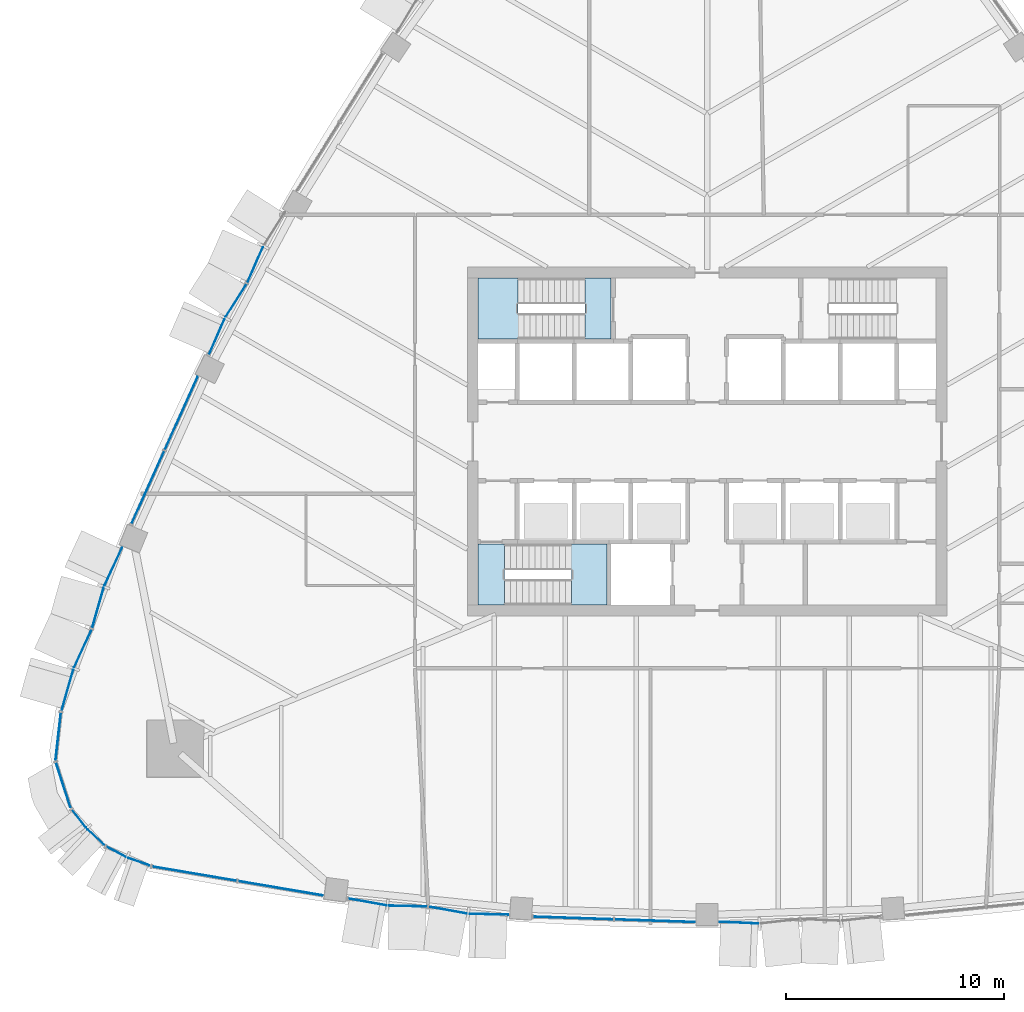
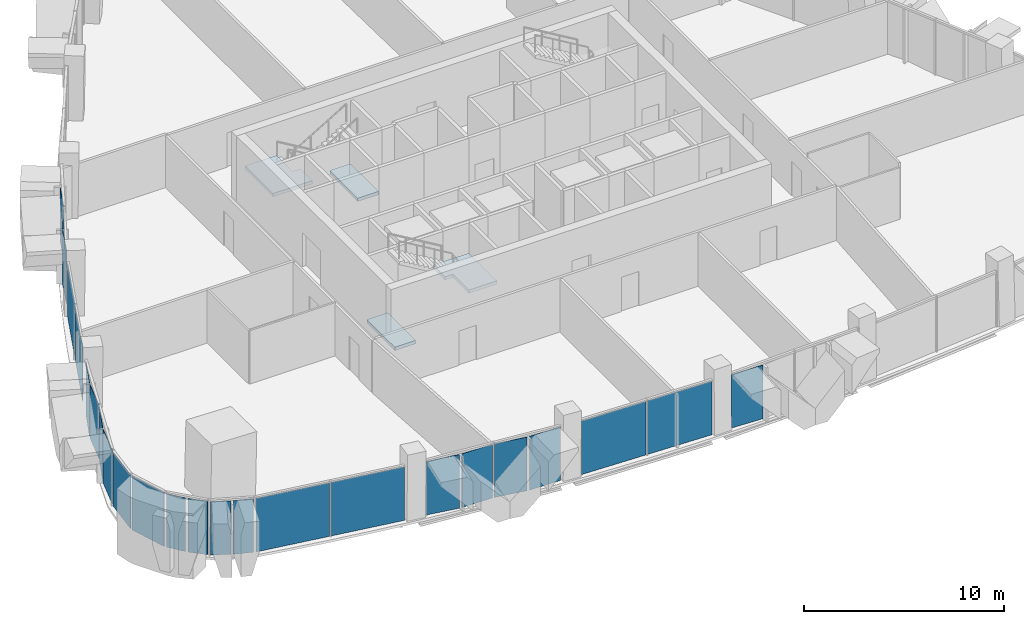
# One storey, part 8 of 17: 24 plates, 4 slabs, 13 elements without a shape of their own.
"""IFC4 building model written with IfcOpenShell, lengths in metres."""

from ifc_helpers import new_model, si_unit, direction, frame, origin, origin_2d, place, context, subcontext, project, spatial, polyline, rectangle, outline, extrude, material, layer, layer_set, type_object, element, aggregate, save


model = new_model("IFC4")

# Units and contexts
model_context = context("Model", 3, precision=1e-05, world=origin(), true_north=direction((0.0, 1.0)))
body_context = subcontext(model_context, "Body", "Model", "MODEL_VIEW")
ifc_project = project(units=[si_unit("LENGTHUNIT", "METRE"), si_unit("AREAUNIT", "SQUARE_METRE"), si_unit("VOLUMEUNIT", "CUBIC_METRE"), si_unit("PLANEANGLEUNIT", "RADIAN"), si_unit("MASSUNIT", "GRAM", prefix="KILO")], contexts=[model_context])

# Site, building, storey
site_placement = place(None, origin())
site = spatial("IfcSite", under=ifc_project, at=site_placement, CompositionType="ELEMENT")
building_placement = place(site_placement, origin())
building = spatial("IfcBuilding", under=site, at=building_placement, Name="Sierra Prisma Convention Tower", CompositionType="ELEMENT")
storey_placement = place(building_placement, frame((0.0, 0.0, 149.800048828125)))
storey = spatial("IfcBuildingStorey", under=building, at=storey_placement, Name="L32", CompositionType="ELEMENT", Elevation=149.800048828125)

# Curtain wall, plates
ifc_material_1 = material(Name="Aluminium and glass curtain wall", Category="aluminium")
ifc_layer_1 = layer(ifc_material_1, 0.179931640625)
ifc_layer_set_1 = layer_set([ifc_layer_1], Name="CW-1 Plain shaft curtain wall")
curtain_wall_type_1 = type_object("IfcCurtainWallType", Name="CW-1 Plain shaft curtain wall", PredefinedType="NOTDEFINED", material=ifc_layer_set_1)
curtain_wall_1_placement = place(storey_placement, origin())
curtain_wall_1 = element("IfcCurtainWall", 1, at=curtain_wall_1_placement, inside=storey, type_object=curtain_wall_type_1, Name="CW-1 S1 L32", PredefinedType="NOTDEFINED")
ifc_material_2 = material(Name="Tinted glass bronze-grey IGU", Category="glass")
ifc_layer_2 = layer(ifc_material_2, 0.028076171875)
ifc_layer_set_2 = layer_set([ifc_layer_2], Name="CW-1 glass panel")
plate_type_1 = type_object("IfcPlateType", Name="CW-1 glass panel", PredefinedType="CURTAIN_PANEL", material=ifc_layer_set_2)
plate_1_placement = place(storey_placement, frame((-23.515625, -19.821044921875, 0.0), z_axis=(0.0, 0.0, 1.0), x_axis=(0.985930096799, -0.167158141372, 0.0)))
plate_1 = element("IfcPlate", 2, at=plate_1_placement, type_object=plate_type_1, Name="CW-1 panel S1.1", PredefinedType="CURTAIN_PANEL", context=body_context, shape_type="SweptSolid", body=[
    extrude(rectangle(XDim=3.926513671875, YDim=0.028076171875, at=origin_2d()), origin(), (0.0, 0.0, 1.0), 3.280029296875),
])
plate_2_placement = place(storey_placement, frame((-19.575439453125, -20.489013671875, 0.0), z_axis=(0.0, 0.0, 1.0), x_axis=(0.985930096799, -0.167158141372, 0.0)))
plate_2 = element("IfcPlate", 3, at=plate_2_placement, type_object=plate_type_1, Name="CW-1 panel S1.2", PredefinedType="CURTAIN_PANEL", context=body_context, shape_type="SweptSolid", body=[
    extrude(rectangle(XDim=3.926513671875, YDim=0.028076171875, at=origin_2d()), origin(), (0.0, 0.0, 1.0), 3.280029296875),
])
aggregate(curtain_wall_1, [plate_1, plate_2])

curtain_wall_2_placement = place(storey_placement, origin())
curtain_wall_2 = element("IfcCurtainWall", 4, at=curtain_wall_2_placement, inside=storey, type_object=curtain_wall_type_1, Name="CW-1 S3 L32", PredefinedType="NOTDEFINED")
plate_3_placement = place(storey_placement, frame((-6.141845703125, -21.85498046875, 0.0), z_axis=(0.0, 0.0, 1.0), x_axis=(0.999435932187, -0.033582993519, 0.0)))
plate_3 = element("IfcPlate", 5, at=plate_3_placement, type_object=plate_type_1, Name="CW-1 panel S3.1", PredefinedType="CURTAIN_PANEL", context=body_context, shape_type="SweptSolid", body=[
    extrude(rectangle(XDim=3.670166015625, YDim=0.028076171875, at=origin_2d()), origin(), (0.0, 0.0, 1.0), 3.280029296875),
])
plate_4_placement = place(storey_placement, frame((-2.40380859375, -21.980712890625, 0.0), z_axis=(0.0, 0.0, 1.0), x_axis=(0.999435932187, -0.033582993519, 0.0)))
plate_4 = element("IfcPlate", 6, at=plate_4_placement, type_object=plate_type_1, Name="CW-1 panel S3.2", PredefinedType="CURTAIN_PANEL", context=body_context, shape_type="SweptSolid", body=[
    extrude(rectangle(XDim=3.670166015625, YDim=0.028076171875, at=origin_2d()), origin(), (0.0, 0.0, 1.0), 3.280029296875),
])
aggregate(curtain_wall_2, [plate_3, plate_4])

curtain_wall_3_placement = place(storey_placement, origin())
curtain_wall_3 = element("IfcCurtainWall", 7, at=curtain_wall_3_placement, inside=storey, type_object=curtain_wall_type_1, Name="CW-1 NW5 L32", PredefinedType="NOTDEFINED")
plate_5_placement = place(storey_placement, frame((-24.119384765625, 1.289306640625, 0.0), z_axis=(0.0, 0.0, 1.0), x_axis=(-0.410343631466, -0.911930975521, 0.0)))
plate_5 = element("IfcPlate", 8, at=plate_5_placement, type_object=plate_type_1, Name="CW-1 panel NW5.1", PredefinedType="CURTAIN_PANEL", context=body_context, shape_type="SweptSolid", body=[
    extrude(rectangle(XDim=3.654052734375, YDim=0.028076171875, at=origin_2d()), origin(), (0.0, 0.0, 1.0), 3.280029296875),
])
plate_6_placement = place(storey_placement, frame((-25.647705078125, -2.106689453125, 0.0), z_axis=(0.0, 0.0, 1.0), x_axis=(-0.410343631466, -0.911930975521, 0.0)))
plate_6 = element("IfcPlate", 9, at=plate_6_placement, type_object=plate_type_1, Name="CW-1 panel NW5.2", PredefinedType="CURTAIN_PANEL", context=body_context, shape_type="SweptSolid", body=[
    extrude(rectangle(XDim=3.654052734375, YDim=0.028076171875, at=origin_2d()), origin(), (0.0, 0.0, 1.0), 3.280029296875),
])
aggregate(curtain_wall_3, [plate_5, plate_6])

# Curtain wall, plate
curtain_wall_4_placement = place(storey_placement, origin())
curtain_wall_4 = element("IfcCurtainWall", 10, at=curtain_wall_4_placement, inside=storey, type_object=curtain_wall_type_1, Name="CW-1 SW1 L32", PredefinedType="NOTDEFINED")
plate_7_placement = place(storey_placement, frame((-29.758544921875, -13.50634765625, 0.0), z_axis=(0.0, 0.0, 1.0), x_axis=(-0.110421860265, -0.993884808605, 0.0)))
plate_7 = element("IfcPlate", 11, at=plate_7_placement, type_object=plate_type_1, Name="CW-1 panel SW1.1", PredefinedType="CURTAIN_PANEL", context=body_context, shape_type="SweptSolid", body=[
    extrude(rectangle(XDim=2.165283203125, YDim=0.028076171875, at=origin_2d()), origin(), (0.0, 0.0, 1.0), 3.280029296875),
])
aggregate(curtain_wall_4, [plate_7])

curtain_wall_5_placement = place(storey_placement, origin())
curtain_wall_5 = element("IfcCurtainWall", 12, at=curtain_wall_5_placement, inside=storey, type_object=curtain_wall_type_1, Name="CW-1 SW2 L32", PredefinedType="NOTDEFINED")
plate_8_placement = place(storey_placement, frame((-29.53173828125, -15.748779296875, 0.0), z_axis=(0.0, 0.0, 1.0), x_axis=(0.307137186872, -0.951665250201, 0.0)))
plate_8 = element("IfcPlate", 13, at=plate_8_placement, type_object=plate_type_1, Name="CW-1 panel SW2.1", PredefinedType="CURTAIN_PANEL", context=body_context, shape_type="SweptSolid", body=[
    extrude(rectangle(XDim=2.165283203125, YDim=0.028076171875, at=origin_2d()), origin(), (0.0, 0.0, 1.0), 3.280029296875),
])
aggregate(curtain_wall_5, [plate_8])

# Curtain wall, plates
ifc_material_3 = material(Name="Aluminium and glass curtain wall", Category="aluminium")
ifc_layer_3 = layer(ifc_material_3, 0.179931640625)
ifc_layer_set_3 = layer_set([ifc_layer_3], Name="CW-2 Faceted crystal curtain wall")
curtain_wall_type_2 = type_object("IfcCurtainWallType", Name="CW-2 Faceted crystal curtain wall", PredefinedType="NOTDEFINED", material=ifc_layer_set_3)
curtain_wall_6_placement = place(storey_placement, origin())
curtain_wall_6 = element("IfcCurtainWall", 14, at=curtain_wall_6_placement, inside=storey, type_object=curtain_wall_type_2, Name="CW-2 S2 L32", PredefinedType="NOTDEFINED")
ifc_material_4 = material(Name="Tinted glass bronze-grey IGU", Category="glass")
ifc_layer_4 = layer(ifc_material_4, 0.028076171875)
ifc_layer_set_4 = layer_set([ifc_layer_4], Name="CW-2 crystal pane")
plate_type_2 = type_object("IfcPlateType", Name="CW-2 crystal pane", PredefinedType="CURTAIN_PANEL", material=ifc_layer_set_4)
plate_9_placement = place(storey_placement, frame((-16.466064453125, -20.974365234375, 0.0), z_axis=(-0.178314139818, -0.983973611202, 0.0), x_axis=(0.983973611202, -0.178314139818, 0.0)))
plate_9 = element("IfcPlate", 15, at=plate_9_placement, type_object=plate_type_2, Name="CW-2 pane S2.1.1", PredefinedType="CURTAIN_PANEL", context=body_context, shape_type="SweptSolid", body=[
    extrude(outline(polyline([(0.0, 0.0), (1.7675858302501686, 0.0), (1.7675858302501686, 3.280029296875001), (0.0, 3.280029296875001), (0.0, 0.0)])), origin(), (0.0, 0.0, -1.0), 0.028076171875),
])
plate_10_placement = place(storey_placement, frame((-12.83056640625, -21.341796875, 0.0), z_axis=(-0.022235142389, -0.99975276866, 0.0), x_axis=(-0.99975276866, 0.022235142389, 0.0)))
plate_10 = element("IfcPlate", 16, at=plate_10_placement, type_object=plate_type_2, Name="CW-2 pane S2.1.2", PredefinedType="CURTAIN_PANEL", context=body_context, shape_type="SweptSolid", body=[
    extrude(outline(polyline([(0.0, 0.0), (1.7677710327765968, 0.0), (1.7677710327765968, -3.280029296875001), (0.0, -3.280029296875001), (0.0, 0.0)])), origin(), (0.0, 0.0, -1.0), 0.028076171875),
])
plate_11_placement = place(storey_placement, frame((-12.760986328125, -21.348876953125, 0.0), z_axis=(-0.178423616194, -0.983953765776, 0.0), x_axis=(0.983953765776, -0.178423616194, 0.0)))
plate_11 = element("IfcPlate", 17, at=plate_11_placement, type_object=plate_type_2, Name="CW-2 pane S2.2.1", PredefinedType="CURTAIN_PANEL", context=body_context, shape_type="SweptSolid", body=[
    extrude(outline(polyline([(0.0, 0.0), (1.7678696028502887, 0.0), (1.7678696028502887, 3.280029296875), (0.0, 3.280029296875), (0.0, 0.0)])), origin(), (0.0, 0.0, -1.0), 0.028076171875),
])
plate_12_placement = place(storey_placement, frame((-9.125244140625, -21.716552734375, 0.0), z_axis=(-0.022235142389, -0.99975276866, 0.0), x_axis=(-0.99975276866, 0.022235142389, 0.0)))
plate_12 = element("IfcPlate", 18, at=plate_12_placement, type_object=plate_type_2, Name="CW-2 pane S2.2.2", PredefinedType="CURTAIN_PANEL", context=body_context, shape_type="SweptSolid", body=[
    extrude(outline(polyline([(0.0, 0.0), (1.7677710327765968, 0.0), (1.7677710327765968, -3.280029296875001), (0.0, -3.280029296875001), (0.0, 0.0)])), origin(), (0.0, 0.0, -1.0), 0.028076171875),
])
aggregate(curtain_wall_6, [plate_9, plate_10, plate_11, plate_12])

# Curtain wall, plate
curtain_wall_7_placement = place(storey_placement, origin())
curtain_wall_7 = element("IfcCurtainWall", 19, at=curtain_wall_7_placement, inside=storey, type_object=curtain_wall_type_2, Name="CW-2 S4 L32", PredefinedType="NOTDEFINED")
plate_13_placement = place(storey_placement, frame((0.569580078125, -22.042236328125, 0.0), z_axis=(-0.04495244871, -0.998989127746, 0.0), x_axis=(0.998989127746, -0.04495244871, 0.0)))
plate_13 = element("IfcPlate", 20, at=plate_13_placement, type_object=plate_type_2, Name="CW-2 pane S4.1.1", PredefinedType="CURTAIN_PANEL", context=body_context, shape_type="SweptSolid", body=[
    extrude(outline(polyline([(0.0, 0.0), (1.7759651958152591, 0.0), (1.7759651958152591, 3.280029296875), (0.0, 3.280029296875), (0.0, 0.0)])), origin(), (0.0, 0.0, -1.0), 0.028076171875),
])
aggregate(curtain_wall_7, [plate_13])

# Curtain wall, plates
curtain_wall_8_placement = place(storey_placement, origin())
curtain_wall_8 = element("IfcCurtainWall", 21, at=curtain_wall_8_placement, inside=storey, type_object=curtain_wall_type_2, Name="CW-2 NW4 L32", PredefinedType="NOTDEFINED")
plate_14_placement = place(storey_placement, frame((-21.101318359375, 7.28955078125, 0.0), z_axis=(-0.916529298048, 0.399967555959, 0.0), x_axis=(0.399967555959, 0.916529298048, 0.0)))
plate_14 = element("IfcPlate", 22, at=plate_14_placement, type_object=plate_type_2, Name="CW-2 pane NW4.1.2", PredefinedType="CURTAIN_PANEL", context=body_context, shape_type="SweptSolid", body=[
    extrude(outline(polyline([(0.0, 0.0), (1.7756567190117336, 0.0), (1.7756567190117336, -3.280029296875), (0.0, -3.280029296875), (0.0, 0.0)])), origin(), (0.0, 0.0, -1.0), 0.028076171875),
])
plate_15_placement = place(storey_placement, frame((-21.13427734375, 7.227783203125, 0.0), z_axis=(-0.842720514784, 0.538351310913, 0.0), x_axis=(-0.538351310913, -0.842720514784, 0.0)))
plate_15 = element("IfcPlate", 23, at=plate_15_placement, type_object=plate_type_2, Name="CW-2 pane NW4.2.1", PredefinedType="CURTAIN_PANEL", context=body_context, shape_type="SweptSolid", body=[
    extrude(outline(polyline([(0.0, 0.0), (1.7758936741120226, 0.0), (1.7758936741120226, 3.280029296875), (0.0, 3.280029296875), (0.0, 0.0)])), origin(), (0.0, 0.0, -1.0), 0.028076171875),
])
plate_16_placement = place(storey_placement, frame((-22.861572265625, 3.9892578125, 0.0), z_axis=(-0.916551289226, 0.399917159196, 0.0), x_axis=(0.399917159196, 0.916551289226, 0.0)))
plate_16 = element("IfcPlate", 24, at=plate_16_placement, type_object=plate_type_2, Name="CW-2 pane NW4.2.2", PredefinedType="CURTAIN_PANEL", context=body_context, shape_type="SweptSolid", body=[
    extrude(outline(polyline([(0.0, 0.0), (1.775880483732029, 0.0), (1.775880483732029, -3.280029296875), (0.0, -3.280029296875), (0.0, 0.0)])), origin(), (0.0, 0.0, -1.0), 0.028076171875),
])
aggregate(curtain_wall_8, [plate_14, plate_15, plate_16])

curtain_wall_9_placement = place(storey_placement, origin())
curtain_wall_9 = element("IfcCurtainWall", 25, at=curtain_wall_9_placement, inside=storey, type_object=curtain_wall_type_2, Name="CW-2 NW6 L32", PredefinedType="NOTDEFINED")
plate_17_placement = place(storey_placement, frame((-26.84814453125, -4.867919921875, 0.0), z_axis=(-0.907218727773, 0.420659220721, 0.0), x_axis=(-0.420659220721, -0.907218727773, 0.0)))
plate_17 = element("IfcPlate", 26, at=plate_17_placement, type_object=plate_type_2, Name="CW-2 pane NW6.1.1", PredefinedType="CURTAIN_PANEL", context=body_context, shape_type="SweptSolid", body=[
    extrude(outline(polyline([(0.0, 0.0), (1.9042145070577825, 0.0), (1.9042145070577825, 3.280029296875), (0.0, 3.280029296875), (0.0, 0.0)])), origin(), (0.0, 0.0, -1.0), 0.028076171875),
])
plate_18_placement = place(storey_placement, frame((-28.21533203125, -8.548828125, 0.0), z_axis=(-0.961852213285, 0.273569588585, 0.0), x_axis=(0.273569588585, 0.961852213285, 0.0)))
plate_18 = element("IfcPlate", 27, at=plate_18_placement, type_object=plate_type_2, Name="CW-2 pane NW6.1.2", PredefinedType="CURTAIN_PANEL", context=body_context, shape_type="SweptSolid", body=[
    extrude(outline(polyline([(0.0, 0.0), (1.9044371724410278, 0.0), (1.9044371724410278, -3.280029296875001), (0.0, -3.280029296875001), (0.0, 0.0)])), origin(), (0.0, 0.0, -1.0), 0.028076171875),
])
plate_19_placement = place(storey_placement, frame((-28.23974609375, -8.6142578125, 0.0), z_axis=(-0.90724141123, 0.420610296771, 0.0), x_axis=(-0.420610296771, -0.90724141123, 0.0)))
plate_19 = element("IfcPlate", 28, at=plate_19_placement, type_object=plate_type_2, Name="CW-2 pane NW6.2.1", PredefinedType="CURTAIN_PANEL", context=body_context, shape_type="SweptSolid", body=[
    extrude(outline(polyline([(0.0, 0.0), (1.9044359987741302, 0.0), (1.9044359987741302, 3.280029296875001), (0.0, 3.280029296875001), (0.0, 0.0)])), origin(), (0.0, 0.0, -1.0), 0.028076171875),
])
plate_20_placement = place(storey_placement, frame((-29.60693359375, -12.295166015625, 0.0), z_axis=(-0.961852213285, 0.273569588585, 0.0), x_axis=(0.273569588585, 0.961852213285, 0.0)))
plate_20 = element("IfcPlate", 29, at=plate_20_placement, type_object=plate_type_2, Name="CW-2 pane NW6.2.2", PredefinedType="CURTAIN_PANEL", context=body_context, shape_type="SweptSolid", body=[
    extrude(outline(polyline([(0.0, 0.0), (1.9044371724410278, 0.0), (1.9044371724410278, -3.280029296875001), (0.0, -3.280029296875001), (0.0, 0.0)])), origin(), (0.0, 0.0, -1.0), 0.028076171875),
])
aggregate(curtain_wall_9, [plate_17, plate_18, plate_19, plate_20])

curtain_wall_10_placement = place(storey_placement, origin())
curtain_wall_10 = element("IfcCurtainWall", 30, at=curtain_wall_10_placement, inside=storey, type_object=curtain_wall_type_2, Name="CW-2 SW3 L32", PredefinedType="NOTDEFINED")
plate_21_placement = place(storey_placement, frame((-29.130859375, -16.897705078125, 0.0), z_axis=(-0.792214901422, -0.610242205985, 0.0), x_axis=(0.610242205985, -0.792214901422, 0.0)))
plate_21 = element("IfcPlate", 31, at=plate_21_placement, type_object=plate_type_2, Name="CW-2 pane SW3.1.1", PredefinedType="CURTAIN_PANEL", context=body_context, shape_type="SweptSolid", body=[
    extrude(outline(polyline([(0.0, 0.0), (1.020982929219664, 0.0), (1.020982929219664, 3.280029296875), (0.0, 3.280029296875), (0.0, 0.0)])), origin(), (0.0, 0.0, -1.0), 0.028076171875),
])
plate_22_placement = place(storey_placement, frame((-27.6787109375, -18.50390625, 0.0), z_axis=(-0.686735865513, -0.726907044276, 0.0), x_axis=(-0.726907044276, 0.686735865513, 0.0)))
plate_22 = element("IfcPlate", 32, at=plate_22_placement, type_object=plate_type_2, Name="CW-2 pane SW3.1.2", PredefinedType="CURTAIN_PANEL", context=body_context, shape_type="SweptSolid", body=[
    extrude(outline(polyline([(0.0, 0.0), (1.0210211963751123, 0.0), (1.0210211963751123, -3.280029296875), (0.0, -3.280029296875), (0.0, 0.0)])), origin(), (0.0, 0.0, -1.0), 0.028076171875),
])
aggregate(curtain_wall_10, [plate_21, plate_22])

curtain_wall_11_placement = place(storey_placement, origin())
curtain_wall_11 = element("IfcCurtainWall", 33, at=curtain_wall_11_placement, inside=storey, type_object=curtain_wall_type_2, Name="CW-2 SW4 L32", PredefinedType="NOTDEFINED")
plate_23_placement = place(storey_placement, frame((-27.567626953125, -18.583984375, 0.0), z_axis=(-0.472101946665, -0.881543959173, 0.0), x_axis=(0.881543959173, -0.472101946665, 0.0)))
plate_23 = element("IfcPlate", 34, at=plate_23_placement, type_object=plate_type_2, Name="CW-2 pane SW4.1.1", PredefinedType="CURTAIN_PANEL", context=body_context, shape_type="SweptSolid", body=[
    extrude(outline(polyline([(0.0, 0.0), (1.0208252627514336, 0.0), (1.0208252627514336, 3.280029296875001), (0.0, 3.280029296875001), (0.0, 0.0)])), origin(), (0.0, 0.0, -1.0), 0.028076171875),
])
plate_24_placement = place(storey_placement, frame((-25.58447265625, -19.452880859375, 0.0), z_axis=(-0.328112468103, -0.944638665457, 0.0), x_axis=(-0.944638665457, 0.328112468103, 0.0)))
plate_24 = element("IfcPlate", 35, at=plate_24_placement, type_object=plate_type_2, Name="CW-2 pane SW4.1.2", PredefinedType="CURTAIN_PANEL", context=body_context, shape_type="SweptSolid", body=[
    extrude(outline(polyline([(0.0, 0.0), (1.0208723229468566, 0.0), (1.0208723229468566, -3.280029296875), (0.0, -3.280029296875), (0.0, 0.0)])), origin(), (0.0, 0.0, -1.0), 0.028076171875),
])
aggregate(curtain_wall_11, [plate_23, plate_24])

# Stair, slab
ifc_material_5 = material(Name="Concrete C30/37", Category="concrete")
stair_type = type_object("IfcStairType", Name="Stair dog-leg 1200 RC", PredefinedType="HALF_TURN_STAIR", material=ifc_material_5)
stair_1_placement = place(storey_placement, origin())
stair_1 = element("IfcStair", 36, at=stair_1_placement, inside=storey, type_object=stair_type, Name="L32 S1", PredefinedType="HALF_TURN_STAIR")
ifc_material_6 = material(Name="Concrete C35/45", Category="concrete")
ifc_layer_5 = layer(ifc_material_6, 0.199951171875)
ifc_layer_set_5 = layer_set([ifc_layer_5], Name="Stair landing slab")
slab_type = type_object("IfcSlabType", Name="Stair landing slab", PredefinedType="LANDING", material=ifc_layer_set_5)
slab_1_placement = place(storey_placement, frame((0.0, 0.0, 1.800048828125)))
slab_1 = element("IfcSlab", 37, at=slab_1_placement, type_object=slab_type, Name="S1 landing 1", PredefinedType="LANDING", context=body_context, shape_type="SweptSolid", body=[
    extrude(outline(polyline([(-4.60009765625, -4.699951171875), (-4.60009765625, -7.5), (-6.221923828125, -7.5), (-6.221923828125, -5.89990234375), (-6.669921875, -5.89990234375), (-6.669921875, -4.699951171875), (-4.60009765625, -4.699951171875)])), origin(), (0.0, 0.0, 1.0), 0.199951171875),
])
aggregate(stair_1, [slab_1])

# Slab
slab_2_placement = place(storey_placement, frame((0.0, 0.0, -0.199951171875)))
element("IfcSlab", 38, at=slab_2_placement, inside=storey, type_object=slab_type, Name="S1 floor landing L32", PredefinedType="LANDING", context=body_context, shape_type="SweptSolid", body=[
    extrude(outline(polyline([(-10.5, -7.5), (-9.298095703125, -7.5), (-9.298095703125, -4.699951171875), (-10.5, -4.699951171875), (-10.5, -7.5)])), origin(), (0.0, 0.0, 1.0), 0.199951171875),
])

# Stair, slab
stair_2_placement = place(storey_placement, origin())
stair_2 = element("IfcStair", 39, at=stair_2_placement, inside=storey, type_object=stair_type, Name="L32 S3", PredefinedType="HALF_TURN_STAIR")
slab_3_placement = place(storey_placement, frame((0.0, 0.0, 1.800048828125)))
slab_3 = element("IfcSlab", 40, at=slab_3_placement, type_object=slab_type, Name="S3 landing 1", PredefinedType="LANDING", context=body_context, shape_type="SweptSolid", body=[
    extrude(outline(polyline([(-8.22998046875, 5.89990234375), (-8.22998046875, 4.699951171875), (-10.5, 4.699951171875), (-10.5, 7.5), (-8.677978515625, 7.5), (-8.677978515625, 5.89990234375), (-8.22998046875, 5.89990234375)])), origin(), (0.0, 0.0, 1.0), 0.199951171875),
])
aggregate(stair_2, [slab_3])

# Slab
slab_4_placement = place(storey_placement, frame((0.0, 0.0, -0.199951171875)))
element("IfcSlab", 41, at=slab_4_placement, inside=storey, type_object=slab_type, Name="S3 floor landing L32", PredefinedType="LANDING", context=body_context, shape_type="SweptSolid", body=[
    extrude(outline(polyline([(-4.39990234375, 7.5), (-5.60205078125, 7.5), (-5.60205078125, 4.699951171875), (-4.39990234375, 4.699951171875), (-4.39990234375, 7.5)])), origin(), (0.0, 0.0, 1.0), 0.199951171875),
])

save(model, "model.ifc")
